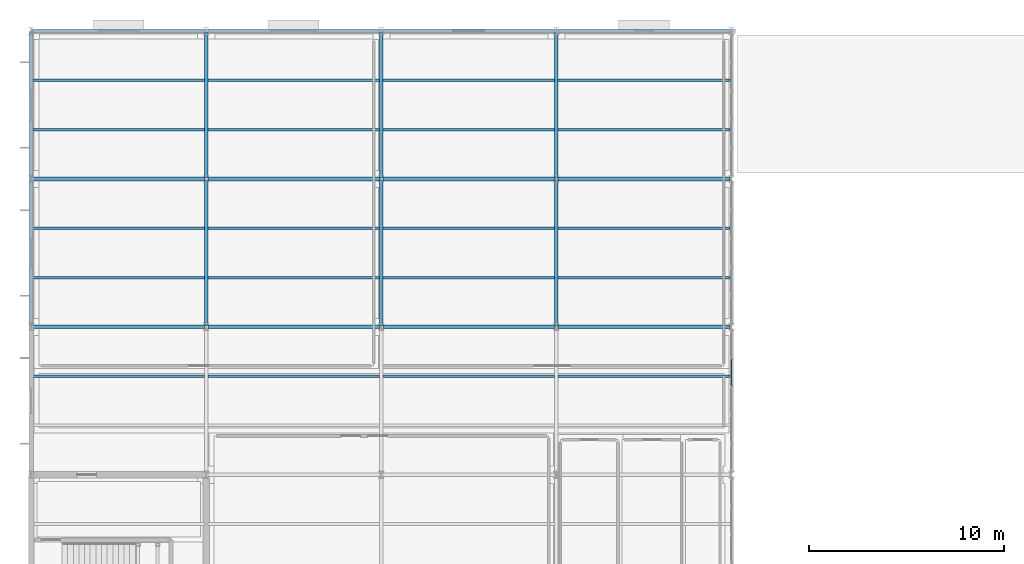
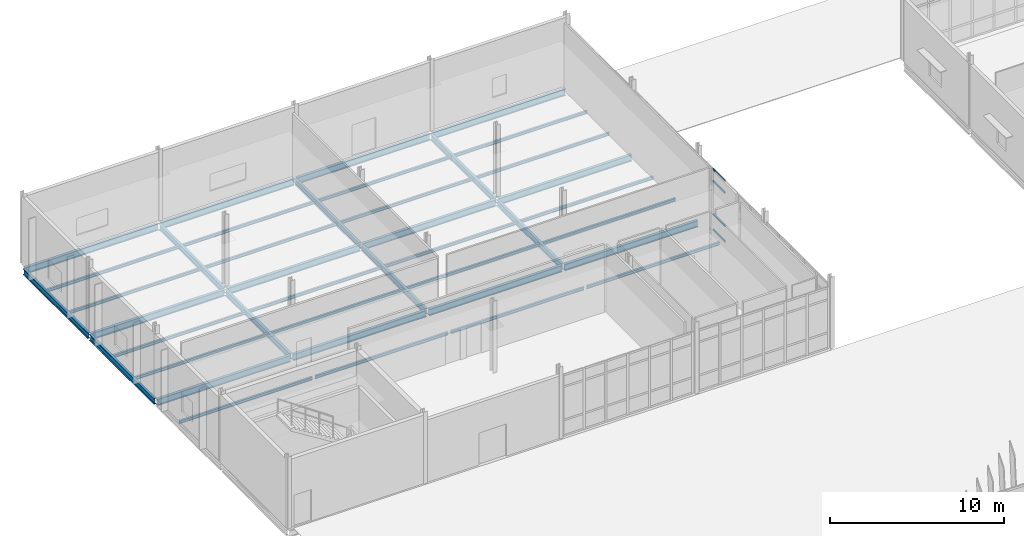
# One storey, part 72 of 161: 40 beams, 4 members, 1 element without a shape of its own.
"""IFC4 building model written with IfcOpenShell, lengths in metres."""

from ifc_helpers import new_model, si_unit, direction, frame, origin, origin_2d, place, context, subcontext, project, spatial, hollow_rectangle, i_section, extrude, material, material_profile, profile_set, type_object, element, aggregate, save


model = new_model("IFC4")

# Units and contexts
model_context = context("Model", 3, precision=1e-05, world=origin(), true_north=direction((0.0, 1.0)))
body_context = subcontext(model_context, "Body", "Model", "MODEL_VIEW")
ifc_project = project(units=[si_unit("LENGTHUNIT", "METRE"), si_unit("AREAUNIT", "SQUARE_METRE"), si_unit("VOLUMEUNIT", "CUBIC_METRE"), si_unit("PLANEANGLEUNIT", "RADIAN"), si_unit("MASSUNIT", "GRAM", prefix="KILO")], contexts=[model_context])

# Site, building, storey
site_placement = place(None, origin())
site = spatial("IfcSite", under=ifc_project, at=site_placement, CompositionType="ELEMENT")
building_placement = place(site_placement, origin())
building = spatial("IfcBuilding", under=site, at=building_placement, Name="Caisbarro Railhouse Central Library", CompositionType="ELEMENT")
storey_placement = place(building_placement, origin())
storey = spatial("IfcBuildingStorey", under=building, at=storey_placement, Name="L00", CompositionType="ELEMENT", Elevation=0.0)

# Beams
ifc_material_1 = material(Name="Steel ASTM A572 Grade 50", Category="steel")
ifc_material_profile_1 = material_profile(ifc_material_1, i_section(OverallWidth=0.18994140625, OverallDepth=0.45703125, WebThickness=0.009033203125, FlangeThickness=0.014404296875, FilletRadius=0.01806640625, at=origin_2d()), Name="W460X74.0")
ifc_profile_set_1 = profile_set([ifc_material_profile_1], Name="Steel ASTM A572 Grade 50")
beam_type_1 = type_object("IfcBeamType", Name="BM-G08", PredefinedType="BEAM", material=ifc_profile_set_1)
for number, where, z_axis, x_axis, name in (
    (1, (0.080078125, 98.800048828125, -0.478515625), (1.0, 0.0, 0.0), (0.0, 1.0, 0.0), "G08 beam L00 #389"),
    (2, (9.080078125, 98.800048828125, -0.478515625), (1.0, 0.0, 0.0), (0.0, 1.0, 0.0), "G08 beam L00 #390"),
    (3, (18.080078125, 98.800048828125, -0.478515625), (1.0, 0.0, 0.0), (0.0, 1.0, 0.0), "G08 beam L00 #391"),
    (4, (27.080078125, 98.800048828125, -0.478515625), (1.0, 0.0, 0.0), (0.0, 1.0, 0.0), "G08 beam L00 #392"),
    (5, (0.080078125, 106.39990234375, -0.478515625), (1.0, 0.0, 0.0), (0.0, 1.0, 0.0), "G08 beam L00 #393"),
    (6, (9.080078125, 106.39990234375, -0.478515625), (1.0, 0.0, 0.0), (0.0, 1.0, 0.0), "G08 beam L00 #394"),
    (7, (18.080078125, 106.39990234375, -0.478515625), (1.0, 0.0, 0.0), (0.0, 1.0, 0.0), "G08 beam L00 #395"),
    (8, (27.080078125, 106.39990234375, -0.478515625), (1.0, 0.0, 0.0), (0.0, 1.0, 0.0), "G08 beam L00 #396"),
):
    element("IfcBeam", number, at=place(storey_placement, frame(where, z_axis=z_axis, x_axis=x_axis)), inside=storey, type_object=beam_type_1, Name=name, PredefinedType="BEAM", context=body_context, shape_type="SweptSolid", body=[
        extrude(i_section(OverallWidth=0.18994140625, OverallDepth=0.45703125, WebThickness=0.009033203125, FlangeThickness=0.014404296875, FilletRadius=0.01806640625, at=origin_2d()), origin(), (0.0, 0.0, 1.0), 8.83984375),
    ])
ifc_material_profile_2 = material_profile(ifc_material_1, i_section(OverallWidth=0.177978515625, OverallDepth=0.406982421875, WebThickness=0.0078125, FlangeThickness=0.0126953125, FilletRadius=0.01611328125, at=origin_2d()), Name="W410X60.0")
ifc_profile_set_2 = profile_set([ifc_material_profile_2], Name="Steel ASTM A572 Grade 50")
beam_type_2 = type_object("IfcBeamType", Name="BM-G10", PredefinedType="BEAM", material=ifc_profile_set_2)
beam_1_placement = place(storey_placement, frame((0.0, 98.8798828125, -0.45361328125), z_axis=(0.0, 1.0, 0.0), x_axis=(-1.0, 0.0, 0.0)))
element("IfcBeam", 9, at=beam_1_placement, inside=storey, type_object=beam_type_2, Name="G10 beam L00 #403", PredefinedType="BEAM", context=body_context, shape_type="SweptSolid", body=[
    extrude(i_section(OverallWidth=0.177978515625, OverallDepth=0.406982421875, WebThickness=0.0078125, FlangeThickness=0.0126953125, FilletRadius=0.01611328125, at=origin_2d()), origin(), (0.0, 0.0, 1.0), 7.440185546875),
])
beam_2_placement = place(storey_placement, frame((0.0, 106.47998046875, -0.45361328125), z_axis=(0.0, 1.0, 0.0), x_axis=(-1.0, 0.0, 0.0)))
element("IfcBeam", 10, at=beam_2_placement, inside=storey, type_object=beam_type_2, Name="G10 beam L00 #404", PredefinedType="BEAM", context=body_context, shape_type="SweptSolid", body=[
    extrude(i_section(OverallWidth=0.177978515625, OverallDepth=0.406982421875, WebThickness=0.0078125, FlangeThickness=0.0126953125, FilletRadius=0.01611328125, at=origin_2d()), origin(), (0.0, 0.0, 1.0), 7.43994140625),
])
beam_3_placement = place(storey_placement, frame((9.0, 98.8798828125, -0.45361328125), z_axis=(0.0, 1.0, 0.0), x_axis=(-1.0, 0.0, 0.0)))
element("IfcBeam", 11, at=beam_3_placement, inside=storey, type_object=beam_type_2, Name="G10 beam L00 #407", PredefinedType="BEAM", context=body_context, shape_type="SweptSolid", body=[
    extrude(i_section(OverallWidth=0.177978515625, OverallDepth=0.406982421875, WebThickness=0.0078125, FlangeThickness=0.0126953125, FilletRadius=0.01611328125, at=origin_2d()), origin(), (0.0, 0.0, 1.0), 7.440185546875),
])
beam_4_placement = place(storey_placement, frame((9.0, 106.47998046875, -0.45361328125), z_axis=(0.0, 1.0, 0.0), x_axis=(-1.0, 0.0, 0.0)))
element("IfcBeam", 12, at=beam_4_placement, inside=storey, type_object=beam_type_2, Name="G10 beam L00 #408", PredefinedType="BEAM", context=body_context, shape_type="SweptSolid", body=[
    extrude(i_section(OverallWidth=0.177978515625, OverallDepth=0.406982421875, WebThickness=0.0078125, FlangeThickness=0.0126953125, FilletRadius=0.01611328125, at=origin_2d()), origin(), (0.0, 0.0, 1.0), 7.43994140625),
])
beam_5_placement = place(storey_placement, frame((18.0, 98.8798828125, -0.45361328125), z_axis=(0.0, 1.0, 0.0), x_axis=(-1.0, 0.0, 0.0)))
element("IfcBeam", 13, at=beam_5_placement, inside=storey, type_object=beam_type_2, Name="G10 beam L00 #411", PredefinedType="BEAM", context=body_context, shape_type="SweptSolid", body=[
    extrude(i_section(OverallWidth=0.177978515625, OverallDepth=0.406982421875, WebThickness=0.0078125, FlangeThickness=0.0126953125, FilletRadius=0.01611328125, at=origin_2d()), origin(), (0.0, 0.0, 1.0), 7.440185546875),
])
beam_6_placement = place(storey_placement, frame((18.0, 106.47998046875, -0.45361328125), z_axis=(0.0, 1.0, 0.0), x_axis=(-1.0, 0.0, 0.0)))
element("IfcBeam", 14, at=beam_6_placement, inside=storey, type_object=beam_type_2, Name="G10 beam L00 #412", PredefinedType="BEAM", context=body_context, shape_type="SweptSolid", body=[
    extrude(i_section(OverallWidth=0.177978515625, OverallDepth=0.406982421875, WebThickness=0.0078125, FlangeThickness=0.0126953125, FilletRadius=0.01611328125, at=origin_2d()), origin(), (0.0, 0.0, 1.0), 7.43994140625),
])
beam_7_placement = place(storey_placement, frame((27.0, 98.8798828125, -0.45361328125), z_axis=(0.0, 1.0, 0.0), x_axis=(-1.0, 0.0, 0.0)))
element("IfcBeam", 15, at=beam_7_placement, inside=storey, type_object=beam_type_2, Name="G10 beam L00 #415", PredefinedType="BEAM", context=body_context, shape_type="SweptSolid", body=[
    extrude(i_section(OverallWidth=0.177978515625, OverallDepth=0.406982421875, WebThickness=0.0078125, FlangeThickness=0.0126953125, FilletRadius=0.01611328125, at=origin_2d()), origin(), (0.0, 0.0, 1.0), 7.440185546875),
])
beam_8_placement = place(storey_placement, frame((27.0, 106.47998046875, -0.45361328125), z_axis=(0.0, 1.0, 0.0), x_axis=(-1.0, 0.0, 0.0)))
element("IfcBeam", 16, at=beam_8_placement, inside=storey, type_object=beam_type_2, Name="G10 beam L00 #416", PredefinedType="BEAM", context=body_context, shape_type="SweptSolid", body=[
    extrude(i_section(OverallWidth=0.177978515625, OverallDepth=0.406982421875, WebThickness=0.0078125, FlangeThickness=0.0126953125, FilletRadius=0.01611328125, at=origin_2d()), origin(), (0.0, 0.0, 1.0), 7.43994140625),
])
ifc_material_profile_3 = material_profile(ifc_material_1, i_section(OverallWidth=0.133056640625, OverallDepth=0.20703125, WebThickness=0.005859375, FlangeThickness=0.00830078125, FilletRadius=0.010009765625, at=origin_2d()), Name="W200X26.6")
ifc_profile_set_3 = profile_set([ifc_material_profile_3], Name="Steel ASTM A572 Grade 50")
beam_type_3 = type_object("IfcBeamType", Name="BM-J07", PredefinedType="JOIST", material=ifc_profile_set_3)
for number, where, z_axis, x_axis, name in (
    (17, (0.089111328125, 96.2666015625, -0.353515625), (1.0, 0.0, 0.0), (0.0, 1.0, 0.0), "J07 beam L00 #424"),
    (18, (0.089111328125, 101.333251953125, -0.353515625), (1.0, 0.0, 0.0), (0.0, 1.0, 0.0), "J07 beam L00 #425"),
    (19, (0.089111328125, 103.86669921875, -0.353515625), (1.0, 0.0, 0.0), (0.0, 1.0, 0.0), "J07 beam L00 #426"),
    (20, (0.089111328125, 108.933349609375, -0.353515625), (1.0, 0.0, 0.0), (0.0, 1.0, 0.0), "J07 beam L00 #427"),
    (21, (0.089111328125, 111.466796875, -0.353515625), (1.0, 0.0, 0.0), (0.0, 1.0, 0.0), "J07 beam L00 #428"),
    (22, (9.089111328125, 96.2666015625, -0.353515625), (1.0, 0.0, 0.0), (0.0, 1.0, 0.0), "J07 beam L00 #432"),
    (23, (9.089111328125, 101.333251953125, -0.353515625), (1.0, 0.0, 0.0), (0.0, 1.0, 0.0), "J07 beam L00 #433"),
    (24, (9.089111328125, 103.86669921875, -0.353515625), (1.0, 0.0, 0.0), (0.0, 1.0, 0.0), "J07 beam L00 #434"),
    (25, (9.089111328125, 108.933349609375, -0.353515625), (1.0, 0.0, 0.0), (0.0, 1.0, 0.0), "J07 beam L00 #435"),
    (26, (9.089111328125, 111.466796875, -0.353515625), (1.0, 0.0, 0.0), (0.0, 1.0, 0.0), "J07 beam L00 #436"),
    (27, (18.089111328125, 96.2666015625, -0.353515625), (1.0, 0.0, 0.0), (0.0, 1.0, 0.0), "J07 beam L00 #440"),
    (28, (18.089111328125, 101.333251953125, -0.353515625), (1.0, 0.0, 0.0), (0.0, 1.0, 0.0), "J07 beam L00 #441"),
    (29, (18.089111328125, 103.86669921875, -0.353515625), (1.0, 0.0, 0.0), (0.0, 1.0, 0.0), "J07 beam L00 #442"),
    (30, (18.089111328125, 108.933349609375, -0.353515625), (1.0, 0.0, 0.0), (0.0, 1.0, 0.0), "J07 beam L00 #443"),
    (31, (18.089111328125, 111.466796875, -0.353515625), (1.0, 0.0, 0.0), (0.0, 1.0, 0.0), "J07 beam L00 #444"),
    (32, (27.089111328125, 96.2666015625, -0.353515625), (1.0, 0.0, 0.0), (0.0, 1.0, 0.0), "J07 beam L00 #448"),
    (33, (27.089111328125, 101.333251953125, -0.353515625), (1.0, 0.0, 0.0), (0.0, 1.0, 0.0), "J07 beam L00 #449"),
    (34, (27.089111328125, 103.86669921875, -0.353515625), (1.0, 0.0, 0.0), (0.0, 1.0, 0.0), "J07 beam L00 #450"),
    (35, (27.089111328125, 108.933349609375, -0.353515625), (1.0, 0.0, 0.0), (0.0, 1.0, 0.0), "J07 beam L00 #451"),
    (36, (27.089111328125, 111.466796875, -0.353515625), (1.0, 0.0, 0.0), (0.0, 1.0, 0.0), "J07 beam L00 #452"),
):
    element("IfcBeam", number, at=place(storey_placement, frame(where, z_axis=z_axis, x_axis=x_axis)), inside=storey, type_object=beam_type_3, Name=name, PredefinedType="JOIST", context=body_context, shape_type="SweptSolid", body=[
        extrude(i_section(OverallWidth=0.133056640625, OverallDepth=0.20703125, WebThickness=0.005859375, FlangeThickness=0.00830078125, FilletRadius=0.010009765625, at=origin_2d()), origin(), (0.0, 0.0, 1.0), 8.82177734375),
    ])
ifc_material_profile_4 = material_profile(ifc_material_1, i_section(OverallWidth=0.18994140625, OverallDepth=0.45703125, WebThickness=0.009033203125, FlangeThickness=0.014404296875, FilletRadius=0.01806640625, at=origin_2d()), Name="W460X74.0")
ifc_profile_set_4 = profile_set([ifc_material_profile_4], Name="Steel ASTM A572 Grade 50")
beam_type_4 = type_object("IfcBeamType", Name="BM-SP01", PredefinedType="SPANDREL", material=ifc_profile_set_4)
for number, where, z_axis, x_axis, name in (
    (37, (0.080078125, 114.0, -0.478515625), (1.0, 0.0, 0.0), (0.0, 1.0, 0.0), "SP01 beam L00 #397"),
    (38, (9.080078125, 114.0, -0.478515625), (1.0, 0.0, 0.0), (0.0, 1.0, 0.0), "SP01 beam L00 #398"),
    (39, (18.080078125, 114.0, -0.478515625), (1.0, 0.0, 0.0), (0.0, 1.0, 0.0), "SP01 beam L00 #399"),
    (40, (27.080078125, 114.0, -0.478515625), (1.0, 0.0, 0.0), (0.0, 1.0, 0.0), "SP01 beam L00 #400"),
):
    element("IfcBeam", number, at=place(storey_placement, frame(where, z_axis=z_axis, x_axis=x_axis)), inside=storey, type_object=beam_type_4, Name=name, PredefinedType="SPANDREL", context=body_context, shape_type="SweptSolid", body=[
        extrude(i_section(OverallWidth=0.18994140625, OverallDepth=0.45703125, WebThickness=0.009033203125, FlangeThickness=0.014404296875, FilletRadius=0.01806640625, at=origin_2d()), origin(), (0.0, 0.0, 1.0), 8.83984375),
    ])

# Curtain wall, members
ifc_material_2 = material(Name="Anodised architectural aluminium", Category="aluminium")
curtain_wall_type = type_object("IfcCurtainWallType", Name="CW-CW02", PredefinedType="NOTDEFINED", material=ifc_material_2)
curtain_wall_placement = place(storey_placement, origin())
curtain_wall = element("IfcCurtainWall", 41, at=curtain_wall_placement, inside=storey, type_object=curtain_wall_type, Name="CW02 curtain wall L00 #77", PredefinedType="NOTDEFINED")
ifc_material_profile_5 = material_profile(ifc_material_2, hollow_rectangle(XDim=0.06494140625, YDim=0.1201171875, WallThickness=0.00341796875, at=origin_2d()), Name="ALU-TRN-65X120")
ifc_profile_set_5 = profile_set([ifc_material_profile_5], Name="Anodised architectural aluminium")
member_type = type_object("IfcMemberType", Name="CWT-T02", PredefinedType="USERDEFINED", material=ifc_profile_set_5)
member_1_placement = place(storey_placement, frame((36.0, 95.765380859375, 0.032470703125), z_axis=(0.0, 1.0, 0.0), x_axis=(-1.0, 0.0, 0.0)))
member_1 = element("IfcMember", 42, at=member_1_placement, type_object=member_type, Name="CW02 transom 4.1", ObjectType="TRANSOM", PredefinedType="USERDEFINED", context=body_context, shape_type="SweptSolid", body=[
    extrude(hollow_rectangle(XDim=0.06494140625, YDim=0.1201171875, WallThickness=0.00341796875, at=origin_2d()), origin(), (0.0, 0.0, 1.0), 1.381103515625),
])
member_2_placement = place(storey_placement, frame((36.0, 95.765380859375, 1.1201171875), z_axis=(0.0, 1.0, 0.0), x_axis=(-1.0, 0.0, 0.0)))
member_2 = element("IfcMember", 43, at=member_2_placement, type_object=member_type, Name="CW02 transom 4.2", ObjectType="TRANSOM", PredefinedType="USERDEFINED", context=body_context, shape_type="SweptSolid", body=[
    extrude(hollow_rectangle(XDim=0.06494140625, YDim=0.1201171875, WallThickness=0.00341796875, at=origin_2d()), origin(), (0.0, 0.0, 1.0), 1.381103515625),
])
member_3_placement = place(storey_placement, frame((36.0, 95.765380859375, 3.449951171875), z_axis=(0.0, 1.0, 0.0), x_axis=(-1.0, 0.0, 0.0)))
member_3 = element("IfcMember", 44, at=member_3_placement, type_object=member_type, Name="CW02 transom 4.3", ObjectType="TRANSOM", PredefinedType="USERDEFINED", context=body_context, shape_type="SweptSolid", body=[
    extrude(hollow_rectangle(XDim=0.06494140625, YDim=0.1201171875, WallThickness=0.00341796875, at=origin_2d()), origin(), (0.0, 0.0, 1.0), 1.381103515625),
])
member_4_placement = place(storey_placement, frame((36.0, 95.765380859375, 4.267578125), z_axis=(0.0, 1.0, 0.0), x_axis=(-1.0, 0.0, 0.0)))
member_4 = element("IfcMember", 45, at=member_4_placement, type_object=member_type, Name="CW02 transom 4.4", ObjectType="TRANSOM", PredefinedType="USERDEFINED", context=body_context, shape_type="SweptSolid", body=[
    extrude(hollow_rectangle(XDim=0.06494140625, YDim=0.1201171875, WallThickness=0.00341796875, at=origin_2d()), origin(), (0.0, 0.0, 1.0), 1.381103515625),
])
aggregate(curtain_wall, [member_1, member_2, member_3, member_4])

save(model, "model.ifc")
